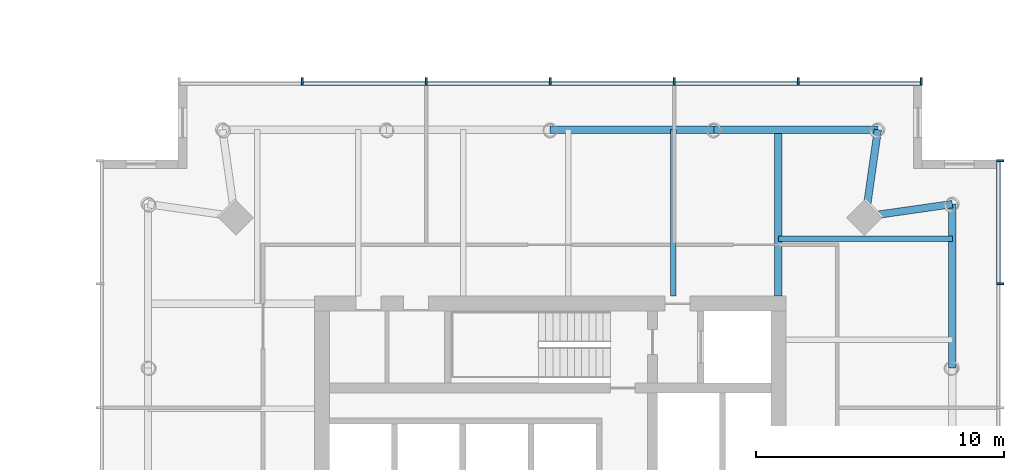
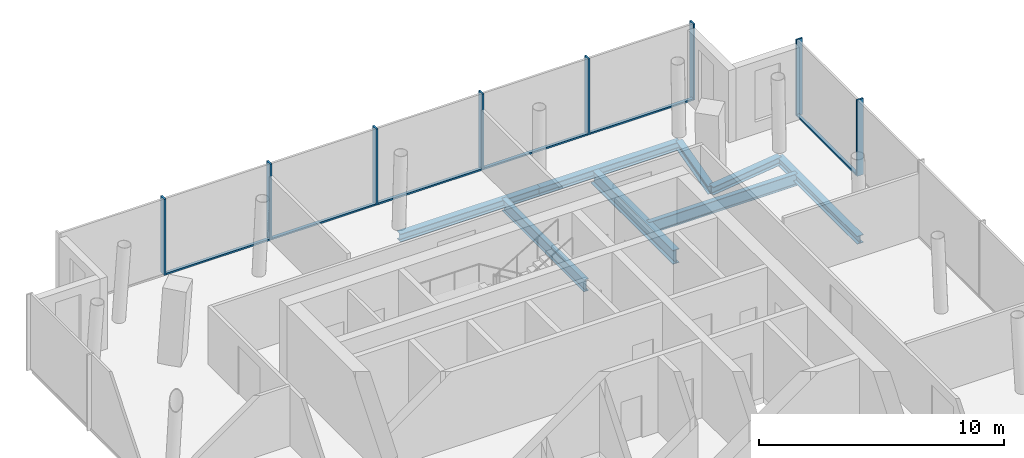
# One storey, part 7 of 18: 14 members, 8 beams, 2 elements without a shape of their own.
"""IFC4 building model written with IfcOpenShell, lengths in metres."""

import ifcopenshell
import ifcopenshell.guid

model = None  # the IFC model being written
_history = None  # IfcOwnerHistory: only IFC2X3 demands one
_inside = {}  # id of a spatial element -> (the spatial element, [elements in it])
_under = {}  # id of a project, library or spatial element -> (it, [spatial elements below it])
_declared = {}  # id of a project -> (the project, [libraries it declares])
_typed = {}  # id of a type object -> (the type object, [elements of that type])
_made_of = {}  # id of a material, layer set ... -> (it, [elements and type objects made of it])


def new_model(schema):
    """Start an empty IFC model of exactly this schema.

    Asked for "IFC4X3", IfcOpenShell would pick the latest addendum, in which some entities
    have other attributes; the version numbers below select the first issue.
    IFC2X3 requires an IfcOwnerHistory on every rooted entity: one is made here for all.
    """
    global model, _history
    if schema == "IFC4X3":
        model = ifcopenshell.file(schema_version=(4, 3, 0, 0))
    else:
        model = ifcopenshell.file(schema=schema)
    _inside.clear()
    _under.clear()
    _declared.clear()
    _typed.clear()
    _made_of.clear()
    _history = None
    if model.schema == "IFC2X3":
        org = make("IfcOrganization", Name="unknown")
        user = make(
            "IfcPersonAndOrganization",
            ThePerson=make("IfcPerson", FamilyName="unknown"),
            TheOrganization=org,
        )
        app = make(
            "IfcApplication",
            ApplicationDeveloper=org,
            Version="unknown",
            ApplicationFullName="unknown",
            ApplicationIdentifier="unknown",
        )
        _history = make(
            "IfcOwnerHistory",
            OwningUser=user,
            OwningApplication=app,
            ChangeAction="ADDED",
            CreationDate=0,
        )
    return model


def make(cls, **values):
    """One entity of the class cls with the attributes given. An attribute that is None is left unset."""
    return model.create_entity(
        cls, **{name: value for name, value in values.items() if value is not None}
    )


def rooted(cls, **values):
    """An entity with a GlobalId (a new one), such as an element, a storey or a relation."""
    return make(cls, GlobalId=ifcopenshell.guid.new(), OwnerHistory=_history, **values)


def si_unit(unit_type, name, prefix=None):
    """IfcSIUnit, for example si_unit("LENGTHUNIT", "METRE", prefix="MILLI")."""
    return make("IfcSIUnit", UnitType=unit_type, Prefix=prefix, Name=name)


def assignment(units):
    """IfcUnitAssignment: the units of a project."""
    return None if units is None else make("IfcUnitAssignment", Units=units)


def point(xyz):
    """IfcCartesianPoint."""
    return None if xyz is None else make("IfcCartesianPoint", Coordinates=xyz)


def direction(xyz):
    """IfcDirection."""
    return None if xyz is None else make("IfcDirection", DirectionRatios=xyz)


def frame(location, z_axis=None, x_axis=None):
    """IfcAxis2Placement3D, a coordinate frame: its origin and axes. An axis left out is left unset."""
    return make(
        "IfcAxis2Placement3D",
        Location=point(location),
        Axis=direction(z_axis),
        RefDirection=direction(x_axis),
    )


def frame_2d(location, x_axis=None):
    """IfcAxis2Placement2D, a coordinate frame in the plane: its origin and x axis."""
    return make(
        "IfcAxis2Placement2D", Location=point(location), RefDirection=direction(x_axis)
    )


def origin():
    """The frame at (0, 0, 0) with its axes left unset."""
    return frame((0.0, 0.0, 0.0))


def origin_2d():
    """The frame at (0, 0) in the plane with its x axis left unset."""
    return frame_2d((0.0, 0.0))


def place(relative_to, where):
    """IfcLocalPlacement: puts the frame where relative to a parent placement (None: the world)."""
    return make(
        "IfcLocalPlacement", PlacementRelTo=relative_to, RelativePlacement=where
    )


def context(
    kind, dimensions, precision=None, world=None, true_north=None, identifier=None
):
    """IfcGeometricRepresentationContext, for example the 3D "Model" context."""
    return make(
        "IfcGeometricRepresentationContext",
        ContextIdentifier=identifier,
        ContextType=kind,
        CoordinateSpaceDimension=dimensions,
        Precision=precision,
        WorldCoordinateSystem=world,
        TrueNorth=true_north,
    )


def subcontext(parent, identifier, kind, view, scale=None):
    """IfcGeometricRepresentationSubContext, for example "Body" below "Model"."""
    return make(
        "IfcGeometricRepresentationSubContext",
        ContextIdentifier=identifier,
        ContextType=kind,
        ParentContext=parent,
        TargetScale=scale,
        TargetView=view,
    )


def project(units=None, contexts=None):
    """IfcProject with its units and contexts."""
    return rooted(
        "IfcProject",
        Name="project",
        RepresentationContexts=contexts,
        UnitsInContext=assignment(units),
    )


def spatial(cls, under=None, at=None, **own):
    """A site, building, storey or space (cls), placed at a placement, below another one or the project."""
    s = rooted(cls, ObjectPlacement=at, **own)
    if under is not None:
        _under.setdefault(under.id(), (under, []))[1].append(s)
    return s


def profile(cls, at=None, kind="AREA", **sizes):
    """A parametric profile (cls). Its sizes go by their IFC names, for example OverallWidth=200.0."""
    return make(cls, ProfileType=kind, Position=at, **sizes)


def rectangle(**sizes):
    """IfcRectangleProfileDef."""
    return profile("IfcRectangleProfileDef", **sizes)


def i_section(**sizes):
    """IfcIShapeProfileDef."""
    return profile("IfcIShapeProfileDef", **sizes)


def extrude(swept, where, along, depth):
    """IfcExtrudedAreaSolid: the profile swept, set in the frame where, extruded along a direction by depth."""
    return make(
        "IfcExtrudedAreaSolid",
        SweptArea=swept,
        Position=where,
        ExtrudedDirection=direction(along),
        Depth=depth,
    )


def shape(context_of_items, identifier, shape_type, items):
    """IfcShapeRepresentation: the items that make up one representation, for example the "Body"."""
    return make(
        "IfcShapeRepresentation",
        ContextOfItems=context_of_items,
        RepresentationIdentifier=identifier,
        RepresentationType=shape_type,
        Items=items,
    )


def material(Name=None, Category=None):
    """IfcMaterial."""
    return make("IfcMaterial", Name=Name, Category=Category)


def material_profile(
    of_material, cross_section, Name=None, Category=None, Priority=None
):
    """IfcMaterialProfile: a cross section and its material."""
    return make(
        "IfcMaterialProfile",
        Name=Name,
        Material=of_material,
        Profile=cross_section,
        Priority=Priority,
        Category=Category,
    )


def profile_set(profiles, Name=None, composite=None):
    """IfcMaterialProfileSet."""
    return make(
        "IfcMaterialProfileSet",
        Name=Name,
        MaterialProfiles=profiles,
        CompositeProfile=composite,
    )


def made_of(thing, what):
    """Note that an element or type object is made of a material, layer set ...; save() writes the relation."""
    if what is not None:
        _made_of.setdefault(what.id(), (what, []))[1].append(thing)
    return thing


def type_object(cls, material=None, **own):
    """A type object (cls), such as IfcWallType, which elements share."""
    return made_of(rooted(cls, **own), material)


def element(
    cls,
    number,
    at=None,
    inside=None,
    cuts=None,
    type_object=None,
    material=None,
    context=None,
    identifier="Body",
    shape_type=None,
    held_by="IfcProductDefinitionShape",
    body=None,
    shapes=None,
    **own,
):
    """One element of the class cls, such as IfcWall. Its Tag is "e" and its number.

    at: its placement. inside: the storey or other place that contains it. cuts: it is an
    opening in that element (IfcRelVoidsElement). A single representation is given by context,
    identifier, shape_type and body (its items); several are given by shapes. held_by: the class
    of the entity that holds the representations. save() writes the other relations.
    """
    e = rooted(cls, Tag="e%d" % number, ObjectPlacement=at, **own)
    if body is not None:
        shapes = [shape(context, identifier, shape_type, body)]
    if shapes is not None:
        e.Representation = make(held_by, Representations=shapes)
    if inside is not None:
        _inside.setdefault(inside.id(), (inside, []))[1].append(e)
    if cuts is not None:
        rooted(
            "IfcRelVoidsElement", RelatingBuildingElement=cuts, RelatedOpeningElement=e
        )
    if type_object is not None:
        _typed.setdefault(type_object.id(), (type_object, []))[1].append(e)
    return made_of(e, material)


def aggregate(whole, parts):
    """IfcRelAggregates: a whole, such as a stair, and the parts it consists of."""
    return rooted("IfcRelAggregates", RelatingObject=whole, RelatedObjects=parts)


def save(model, path):
    """Write the relations noted so far, then the file.

    IfcRelAggregates (storeys below a building ...), IfcRelContainedInSpatialStructure (elements
    in a storey), IfcRelDefinesByType, IfcRelAssociatesMaterial and IfcRelDeclares: one each for
    every whole, place, type object, material and project.
    """
    for whole, parts in _under.values():
        aggregate(whole, parts)
    for where, things in _inside.values():
        rooted(
            "IfcRelContainedInSpatialStructure",
            RelatedElements=things,
            RelatingStructure=where,
        )
    for kind, things in _typed.values():
        rooted("IfcRelDefinesByType", RelatedObjects=things, RelatingType=kind)
    for what, things in _made_of.values():
        rooted("IfcRelAssociatesMaterial", RelatedObjects=things, RelatingMaterial=what)
    for by, libraries in _declared.values():
        rooted("IfcRelDeclares", RelatingContext=by, RelatedDefinitions=libraries)
    model.write(path)


model = new_model("IFC4")

# Units and contexts
model_context = context("Model", 3, precision=1e-05, world=origin(), true_north=direction((0.0, 1.0)))
body_context = subcontext(model_context, "Body", "Model", "MODEL_VIEW")
ifc_project = project(units=[si_unit("LENGTHUNIT", "METRE"), si_unit("AREAUNIT", "SQUARE_METRE"), si_unit("VOLUMEUNIT", "CUBIC_METRE"), si_unit("PLANEANGLEUNIT", "RADIAN"), si_unit("MASSUNIT", "GRAM", prefix="KILO")], contexts=[model_context])

# Site, building, storey
site_placement = place(None, origin())
site = spatial("IfcSite", under=ifc_project, at=site_placement, CompositionType="ELEMENT")
building_placement = place(site_placement, origin())
building = spatial("IfcBuilding", under=site, at=building_placement, Name="Ostroluk Exchange", CompositionType="ELEMENT")
storey_placement = place(building_placement, frame((0.0, 0.0, 85.60009765625)))
storey = spatial("IfcBuildingStorey", under=building, at=storey_placement, Name="L21", CompositionType="ELEMENT", Elevation=85.60009765625)

# Beams
ifc_material_1 = material(Name="Steel S355", Category="steel")
ifc_material_profile_1 = material_profile(ifc_material_1, i_section(OverallWidth=0.300048828125, OverallDepth=0.39990234375, WebThickness=0.013427734375, FlangeThickness=0.02392578125, FilletRadius=0.027099609375, at=origin_2d()), Name="HEB 400")
ifc_profile_set_1 = profile_set([ifc_material_profile_1], Name="Steel S355")
beam_type_1 = type_object("IfcBeamType", Name="Corner edge beam HEB 400", PredefinedType="SPANDREL", material=ifc_profile_set_1)
for number, where, z_axis, x_axis, name in (
    (1, (129.715576171875, 58.715576171875, -0.47998046875), (0.989949493661, 0.141421356237, 0.0), (-0.141421356237, 0.989949493661, 0.0), "T2 east corner edge beam a"),
    (2, (129.715576171875, 58.715576171875, -0.47998046875), (0.141421356237, 0.989949493661, 0.0), (-0.989949493661, 0.141421356237, 0.0), "T2 east corner edge beam b"),
):
    element("IfcBeam", number, at=place(storey_placement, frame(where, z_axis=z_axis, x_axis=x_axis)), inside=storey, type_object=beam_type_1, Name=name, PredefinedType="SPANDREL", context=body_context, shape_type="SweptSolid", body=[
        extrude(i_section(OverallWidth=0.300048828125, OverallDepth=0.39990234375, WebThickness=0.013427734375, FlangeThickness=0.02392578125, FilletRadius=0.027099609375, at=origin_2d()), origin(), (0.0, 0.0, 1.0), 3.53564453125),
    ])
ifc_material_2 = material(Name="Steel S355", Category="steel")
ifc_material_profile_2 = material_profile(ifc_material_2, i_section(OverallWidth=0.219970703125, OverallDepth=0.60009765625, WebThickness=0.011962890625, FlangeThickness=0.01904296875, FilletRadius=0.02392578125, at=origin_2d()), Name="IPE 600")
ifc_profile_set_2 = profile_set([ifc_material_profile_2], Name="Steel S355")
beam_type_2 = type_object("IfcBeamType", Name="Floor beam IPE 600", PredefinedType="BEAM", material=ifc_profile_set_2)
beam_1_placement = place(storey_placement, frame((126.199951171875, 57.8154296875, -0.580078125), z_axis=(1.0, 0.0, 0.0), x_axis=(0.0, 1.0, 0.0)))
element("IfcBeam", 3, at=beam_1_placement, inside=storey, type_object=beam_type_2, Name="T2 east floor beam 5", PredefinedType="BEAM", context=body_context, shape_type="SweptSolid", body=[
    extrude(i_section(OverallWidth=0.219970703125, OverallDepth=0.60009765625, WebThickness=0.011962890625, FlangeThickness=0.01904296875, FilletRadius=0.02392578125, at=origin_2d()), origin(), (0.0, 0.0, 1.0), 7.015625),
])
beam_2_placement = place(storey_placement, frame((121.964111328125, 55.5, -0.580078125), z_axis=(0.0, 1.0, 0.0), x_axis=(-1.0, 0.0, 0.0)))
element("IfcBeam", 4, at=beam_2_placement, inside=storey, type_object=beam_type_2, Name="T2 north floor beam 1", PredefinedType="BEAM", context=body_context, shape_type="SweptSolid", body=[
    extrude(i_section(OverallWidth=0.219970703125, OverallDepth=0.60009765625, WebThickness=0.011962890625, FlangeThickness=0.01904296875, FilletRadius=0.02392578125, at=origin_2d()), origin(), (0.0, 0.0, 1.0), 6.715576171875),
])
ifc_material_3 = material(Name="Steel S355", Category="steel")
ifc_material_profile_3 = material_profile(ifc_material_3, i_section(OverallWidth=0.300048828125, OverallDepth=0.699951171875, WebThickness=0.01708984375, FlangeThickness=0.031982421875, FilletRadius=0.027099609375, at=origin_2d()), Name="HEB 700")
ifc_profile_set_3 = profile_set([ifc_material_profile_3], Name="Steel S355")
beam_type_3 = type_object("IfcBeamType", Name="Girder HEB 700", PredefinedType="BEAM", material=ifc_profile_set_3)
beam_3_placement = place(storey_placement, frame((126.199951171875, 55.5, -0.630126953125), z_axis=(0.0, 1.0, 0.0), x_axis=(-1.0, 0.0, 0.0)))
element("IfcBeam", 5, at=beam_3_placement, inside=storey, type_object=beam_type_3, Name="T2 east girder", PredefinedType="BEAM", context=body_context, shape_type="SweptSolid", body=[
    extrude(i_section(OverallWidth=0.300048828125, OverallDepth=0.699951171875, WebThickness=0.01708984375, FlangeThickness=0.031982421875, FilletRadius=0.027099609375, at=origin_2d()), origin(), (0.0, 0.0, 1.0), 6.715576171875),
])
ifc_material_4 = material(Name="Steel S355", Category="steel")
ifc_material_profile_4 = material_profile(ifc_material_4, i_section(OverallWidth=0.300048828125, OverallDepth=0.39990234375, WebThickness=0.013427734375, FlangeThickness=0.02392578125, FilletRadius=0.027099609375, at=origin_2d()), Name="HEB 400")
ifc_profile_set_4 = profile_set([ifc_material_profile_4], Name="Steel S355")
beam_type_4 = type_object("IfcBeamType", Name="Moment-connected edge beam HEB 400", PredefinedType="SPANDREL", material=ifc_profile_set_4)
for number, where, z_axis, x_axis, name in (
    (6, (133.215576171875, 52.607666015625, -0.47998046875), (0.0, 1.0, 0.0), (-1.0, 0.0, 0.0), "T2 east edge beam 4"),
    (7, (130.215576171875, 62.215576171875, -0.47998046875), (-1.0, 0.0, 0.0), (0.0, -1.0, 0.0), "T2 north edge beam 1"),
):
    element("IfcBeam", number, at=place(storey_placement, frame(where, z_axis=z_axis, x_axis=x_axis)), inside=storey, type_object=beam_type_4, Name=name, PredefinedType="SPANDREL", context=body_context, shape_type="SweptSolid", body=[
        extrude(i_section(OverallWidth=0.300048828125, OverallDepth=0.39990234375, WebThickness=0.013427734375, FlangeThickness=0.02392578125, FilletRadius=0.027099609375, at=origin_2d()), origin(), (0.0, 0.0, 1.0), 6.60791015625),
    ])
beam_4_placement = place(storey_placement, frame((123.607666015625, 62.215576171875, -0.47998046875), z_axis=(-1.0, 0.0, 0.0), x_axis=(0.0, -1.0, 0.0)))
element("IfcBeam", 8, at=beam_4_placement, inside=storey, type_object=beam_type_4, Name="T2 north edge beam 2", PredefinedType="SPANDREL", context=body_context, shape_type="SweptSolid", body=[
    extrude(i_section(OverallWidth=0.300048828125, OverallDepth=0.39990234375, WebThickness=0.013427734375, FlangeThickness=0.02392578125, FilletRadius=0.027099609375, at=origin_2d()), origin(), (0.0, 0.0, 1.0), 6.607666015625),
])

# Curtain wall, member
ifc_material_5 = material(Name="Laminated clear glass", Category="glass")
curtain_wall_type = type_object("IfcCurtainWallType", Name="Hotel amenity and plant facade", PredefinedType="USERDEFINED", material=ifc_material_5)
curtain_wall_1_placement = place(storey_placement, origin())
curtain_wall_1 = element("IfcCurtainWall", 9, at=curtain_wall_1_placement, inside=storey, type_object=curtain_wall_type, Name="Hotel tower east facade L21", ObjectType="LOUVRED CURTAIN WALL", PredefinedType="USERDEFINED")
ifc_material_6 = material(Name="Aluminium mullion", Category="aluminium")
ifc_material_profile_5 = material_profile(ifc_material_6, rectangle(XDim=0.14990234375, YDim=0.080078125, at=origin_2d()), Name="Sill transom 80 x 150")
ifc_profile_set_5 = profile_set([ifc_material_profile_5], Name="Aluminium mullion")
member_type_1 = type_object("IfcMemberType", Name="Sill transom 80 x 150", PredefinedType="USERDEFINED", material=ifc_profile_set_5)
member_1_placement = place(storey_placement, frame((135.074951171875, 56.0400390625, 0.039794921875), z_axis=(0.0, 1.0, 0.0), x_axis=(-1.0, 0.0, 0.0)))
member_1 = element("IfcMember", 10, at=member_1_placement, type_object=member_type_1, Name="CW-H2 transom 6.1", ObjectType="TRANSOM", PredefinedType="USERDEFINED", context=body_context, shape_type="SweptSolid", body=[
    extrude(rectangle(XDim=0.14990234375, YDim=0.080078125, at=origin_2d()), origin(), (0.0, 0.0, 1.0), 4.8798828125),
])

# Curtain wall, members
curtain_wall_2_placement = place(storey_placement, origin())
curtain_wall_2 = element("IfcCurtainWall", 11, at=curtain_wall_2_placement, inside=storey, type_object=curtain_wall_type, Name="Hotel tower north facade L21", ObjectType="LOUVRED CURTAIN WALL", PredefinedType="USERDEFINED")
member_2_placement = place(storey_placement, frame((131.919921875, 64.074951171875, 0.039794921875), z_axis=(-1.0, 0.0, 0.0), x_axis=(0.0, -1.0, 0.0)))
member_2 = element("IfcMember", 12, at=member_2_placement, type_object=member_type_1, Name="CW-H2 transom 1.1", ObjectType="TRANSOM", PredefinedType="USERDEFINED", context=body_context, shape_type="SweptSolid", body=[
    extrude(rectangle(XDim=0.14990234375, YDim=0.080078125, at=origin_2d()), origin(), (0.0, 0.0, 1.0), 4.8798828125),
])
member_3_placement = place(storey_placement, frame((126.9599609375, 64.074951171875, 0.039794921875), z_axis=(-1.0, 0.0, 0.0), x_axis=(0.0, -1.0, 0.0)))
member_3 = element("IfcMember", 13, at=member_3_placement, type_object=member_type_1, Name="CW-H2 transom 2.1", ObjectType="TRANSOM", PredefinedType="USERDEFINED", context=body_context, shape_type="SweptSolid", body=[
    extrude(rectangle(XDim=0.14990234375, YDim=0.080078125, at=origin_2d()), origin(), (0.0, 0.0, 1.0), 4.919921875),
])
member_4_placement = place(storey_placement, frame((121.9599609375, 64.074951171875, 0.039794921875), z_axis=(-1.0, 0.0, 0.0), x_axis=(0.0, -1.0, 0.0)))
member_4 = element("IfcMember", 14, at=member_4_placement, type_object=member_type_1, Name="CW-H2 transom 3.1", ObjectType="TRANSOM", PredefinedType="USERDEFINED", context=body_context, shape_type="SweptSolid", body=[
    extrude(rectangle(XDim=0.14990234375, YDim=0.080078125, at=origin_2d()), origin(), (0.0, 0.0, 1.0), 4.919921875),
])
member_5_placement = place(storey_placement, frame((116.9599609375, 64.074951171875, 0.039794921875), z_axis=(-1.0, 0.0, 0.0), x_axis=(0.0, -1.0, 0.0)))
member_5 = element("IfcMember", 15, at=member_5_placement, type_object=member_type_1, Name="CW-H2 transom 4.1", ObjectType="TRANSOM", PredefinedType="USERDEFINED", context=body_context, shape_type="SweptSolid", body=[
    extrude(rectangle(XDim=0.14990234375, YDim=0.080078125, at=origin_2d()), origin(), (0.0, 0.0, 1.0), 4.919921875),
])
member_6_placement = place(storey_placement, frame((111.9599609375, 64.074951171875, 0.039794921875), z_axis=(-1.0, 0.0, 0.0), x_axis=(0.0, -1.0, 0.0)))
member_6 = element("IfcMember", 16, at=member_6_placement, type_object=member_type_1, Name="CW-H2 transom 5.1", ObjectType="TRANSOM", PredefinedType="USERDEFINED", context=body_context, shape_type="SweptSolid", body=[
    extrude(rectangle(XDim=0.14990234375, YDim=0.080078125, at=origin_2d()), origin(), (0.0, 0.0, 1.0), 4.919921875),
])

# Member
ifc_material_7 = material(Name="Aluminium mullion with limestone facing", Category="masonry")
ifc_material_profile_6 = material_profile(ifc_material_7, rectangle(XDim=0.300048828125, YDim=0.080078125, at=origin_2d()), Name="Tracery mullion 80 x 300")
ifc_profile_set_6 = profile_set([ifc_material_profile_6], Name="Aluminium mullion with limestone facing")
member_type_2 = type_object("IfcMemberType", Name="Tracery mullion 80 x 300", PredefinedType="MULLION", material=ifc_profile_set_6)
member_7_placement = place(storey_placement, frame((135.14990234375, 56.0, 0.0), z_axis=(0.0, 0.0, 1.0), x_axis=(-1.0, 0.0, 0.0)))
member_7 = element("IfcMember", 17, at=member_7_placement, type_object=member_type_2, Name="CW-H2 mullion 6", PredefinedType="MULLION", context=body_context, shape_type="SweptSolid", body=[
    extrude(rectangle(XDim=0.300048828125, YDim=0.080078125, at=origin_2d()), origin(), (0.0, 0.0, 1.0), 3.7998046875),
])

member_8_placement = place(storey_placement, frame((135.14990234375, 60.9599609375, 0.0), z_axis=(0.0, 0.0, 1.0), x_axis=(-1.0, 0.0, 0.0)))
member_8 = element("IfcMember", 18, at=member_8_placement, type_object=member_type_2, Name="CW-H2 mullion 7", PredefinedType="MULLION", context=body_context, shape_type="SweptSolid", body=[
    extrude(rectangle(XDim=0.300048828125, YDim=0.080078125, at=origin_2d()), origin(), (0.0, 0.0, 1.0), 3.7998046875),
])

aggregate(curtain_wall_1, [member_7, member_8, member_1])

member_9_placement = place(storey_placement, frame((131.9599609375, 64.14990234375, 0.0), z_axis=(0.0, 0.0, 1.0), x_axis=(0.0, -1.0, 0.0)))
member_9 = element("IfcMember", 19, at=member_9_placement, type_object=member_type_2, Name="CW-H2 mullion 1", PredefinedType="MULLION", context=body_context, shape_type="SweptSolid", body=[
    extrude(rectangle(XDim=0.300048828125, YDim=0.080078125, at=origin_2d()), origin(), (0.0, 0.0, 1.0), 3.7998046875),
])

member_10_placement = place(storey_placement, frame((127.0, 64.14990234375, 0.0), z_axis=(0.0, 0.0, 1.0), x_axis=(0.0, -1.0, 0.0)))
member_10 = element("IfcMember", 20, at=member_10_placement, type_object=member_type_2, Name="CW-H2 mullion 2", PredefinedType="MULLION", context=body_context, shape_type="SweptSolid", body=[
    extrude(rectangle(XDim=0.300048828125, YDim=0.080078125, at=origin_2d()), origin(), (0.0, 0.0, 1.0), 3.7998046875),
])

member_11_placement = place(storey_placement, frame((122.0, 64.14990234375, 0.0), z_axis=(0.0, 0.0, 1.0), x_axis=(0.0, -1.0, 0.0)))
member_11 = element("IfcMember", 21, at=member_11_placement, type_object=member_type_2, Name="CW-H2 mullion 3", PredefinedType="MULLION", context=body_context, shape_type="SweptSolid", body=[
    extrude(rectangle(XDim=0.300048828125, YDim=0.080078125, at=origin_2d()), origin(), (0.0, 0.0, 1.0), 3.7998046875),
])

member_12_placement = place(storey_placement, frame((117.0, 64.14990234375, 0.0), z_axis=(0.0, 0.0, 1.0), x_axis=(0.0, -1.0, 0.0)))
member_12 = element("IfcMember", 22, at=member_12_placement, type_object=member_type_2, Name="CW-H2 mullion 4", PredefinedType="MULLION", context=body_context, shape_type="SweptSolid", body=[
    extrude(rectangle(XDim=0.300048828125, YDim=0.080078125, at=origin_2d()), origin(), (0.0, 0.0, 1.0), 3.7998046875),
])

member_13_placement = place(storey_placement, frame((112.0, 64.14990234375, 0.0), z_axis=(0.0, 0.0, 1.0), x_axis=(0.0, -1.0, 0.0)))
member_13 = element("IfcMember", 23, at=member_13_placement, type_object=member_type_2, Name="CW-H2 mullion 5", PredefinedType="MULLION", context=body_context, shape_type="SweptSolid", body=[
    extrude(rectangle(XDim=0.300048828125, YDim=0.080078125, at=origin_2d()), origin(), (0.0, 0.0, 1.0), 3.7998046875),
])

member_14_placement = place(storey_placement, frame((107.0, 64.14990234375, 0.0), z_axis=(0.0, 0.0, 1.0), x_axis=(0.0, -1.0, 0.0)))
member_14 = element("IfcMember", 24, at=member_14_placement, type_object=member_type_2, Name="CW-H2 mullion 6", PredefinedType="MULLION", context=body_context, shape_type="SweptSolid", body=[
    extrude(rectangle(XDim=0.300048828125, YDim=0.080078125, at=origin_2d()), origin(), (0.0, 0.0, 1.0), 3.7998046875),
])

aggregate(curtain_wall_2, [member_9, member_10, member_11, member_12, member_13, member_14, member_2, member_3, member_4, member_5, member_6])

save(model, "model.ifc")
